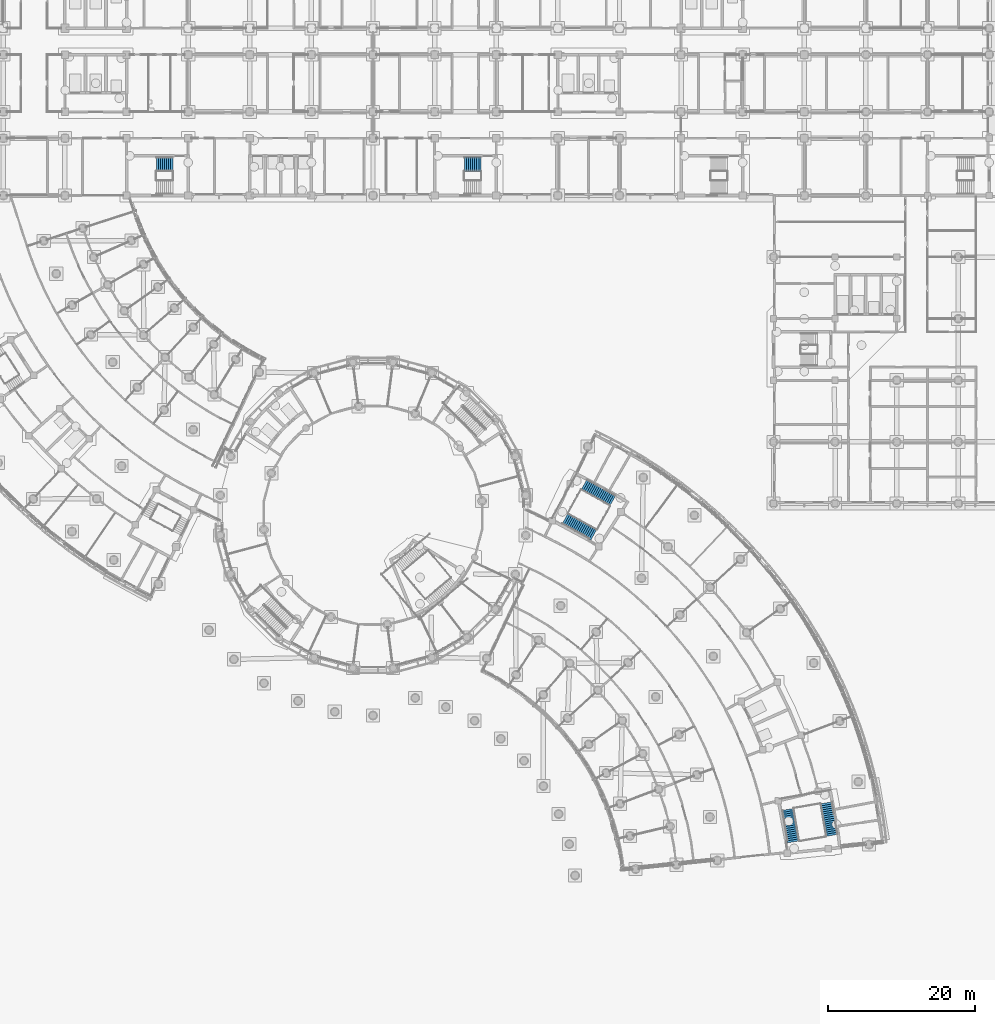
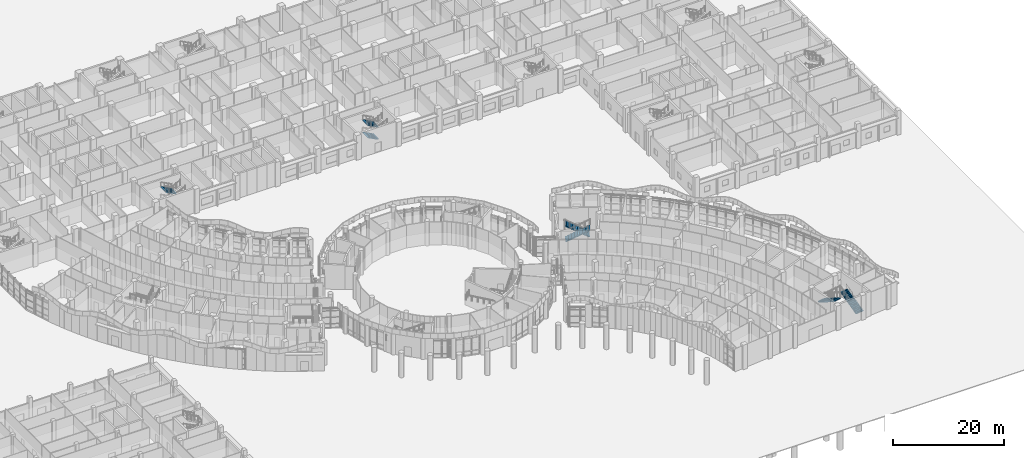
# One storey, part 98 of 146: 7 stair flights, 4 elements without a shape of their own.
"""IFC4 building model written with IfcOpenShell, lengths in metres."""

from ifc_helpers import new_model, si_unit, direction, frame, origin, place, context, subcontext, project, spatial, polyline, outline, extrude, material, type_object, element, aggregate, save


model = new_model("IFC4")

# Units and contexts
model_context = context("Model", 3, precision=1e-05, world=origin(), true_north=direction((0.0, 1.0)))
body_context = subcontext(model_context, "Body", "Model", "MODEL_VIEW")
ifc_project = project(units=[si_unit("LENGTHUNIT", "METRE"), si_unit("AREAUNIT", "SQUARE_METRE"), si_unit("VOLUMEUNIT", "CUBIC_METRE"), si_unit("PLANEANGLEUNIT", "RADIAN"), si_unit("MASSUNIT", "GRAM", prefix="KILO")], contexts=[model_context])

# Site, building, storey
site_placement = place(None, origin())
site = spatial("IfcSite", under=ifc_project, at=site_placement, CompositionType="ELEMENT")
building_placement = place(site_placement, origin())
building = spatial("IfcBuilding", under=site, at=building_placement, Name="Bougainvillea Quay General Hospital", CompositionType="ELEMENT")
storey_placement = place(building_placement, origin())
storey = spatial("IfcBuildingStorey", under=building, at=storey_placement, Name="L00", CompositionType="ELEMENT", Elevation=0.0)

# Stair, stair flights
ifc_material = material(Name="Concrete C35", Category="concrete")
stair_type_1 = type_object("IfcStairType", Name="Stair half-turn 1650 wide", PredefinedType="HALF_TURN_STAIR", material=ifc_material)
stair_1_placement = place(storey_placement, origin())
stair_1 = element("IfcStair", 1, at=stair_1_placement, inside=storey, type_object=stair_type_1, Name="L00 stair ST-E1", PredefinedType="HALF_TURN_STAIR")
stair_flight_type_1 = type_object("IfcStairFlightType", Name="Stair flight 1650", PredefinedType="STRAIGHT", material=ifc_material)
stair_flight_1_placement = place(storey_placement, frame((141.89208984375, 75.99267578125, 0.0), z_axis=(0.0, 0.0, 1.0), x_axis=(-0.873300754664, 0.487181477382, 0.0)))
stair_flight_1 = element("IfcStairFlight", 2, at=stair_flight_1_placement, type_object=stair_flight_type_1, Name="ST-E1 flight 1", NumberOfRisers=17, NumberOfTreads=16, PredefinedType="STRAIGHT", RiserHeight=0.158823529, TreadLength=0.28, context=body_context, shape_type="SweptSolid", body=[
    extrude(outline(polyline([(-0.0029296875, 0.0), (-0.0029296875, 0.00390625), (-0.0029296875, 0.0078125), (-0.0029296875, 0.01171875), (-0.0029296875, 0.015380859375), (-0.0029296875, 0.019287109375), (-0.0029296875, 0.023193359375), (-0.0029296875, 0.027099609375), (-0.0029296875, 0.031005859375), (-0.0029296875, 0.034912109375), (-0.0029296875, 0.038818359375), (-0.0029296875, 0.042724609375), (-0.0029296875, 0.04638671875), (-0.0029296875, 0.05029296875), (-0.0029296875, 0.05419921875), (-0.0029296875, 0.05810546875), (-0.0029296875, 0.06201171875), (-0.0029296875, 0.06591796875), (-0.0029296875, 0.06982421875), (-0.0029296875, 0.073486328125), (-0.0029296875, 0.077392578125), (-0.0029296875, 0.081298828125), (-0.0029296875, 0.085205078125), (-0.0029296875, 0.089111328125), (-0.0029296875, 0.093017578125), (-0.0029296875, 0.096923828125), (-0.0029296875, 0.100830078125), (-0.0029296875, 0.1044921875), (-0.0029296875, 0.1083984375), (-0.0029296875, 0.1123046875), (-0.0029296875, 0.1162109375), (-0.0029296875, 0.1201171875), (-0.0029296875, 0.1240234375), (-0.0029296875, 0.1279296875), (-0.0029296875, 0.131591796875), (-0.0029296875, 0.135498046875), (-0.0029296875, 0.139404296875), (-0.0029296875, 0.143310546875), (-0.0029296875, 0.147216796875), (-0.0029296875, 0.151123046875), (-0.0029296875, 0.155029296875), (-0.0029296875, 0.158935546875), (0.280029296875, 0.158935546875), (0.280029296875, 0.317626953125), (0.56005859375, 0.317626953125), (0.56005859375, 0.4765625), (0.840087890625, 0.4765625), (0.840087890625, 0.63525390625), (1.1201171875, 0.63525390625), (1.1201171875, 0.794189453125), (1.39990234375, 0.794189453125), (1.39990234375, 0.952880859375), (1.679931640625, 0.952880859375), (1.679931640625, 1.11181640625), (1.9599609375, 1.11181640625), (1.9599609375, 1.2705078125), (2.239990234375, 1.2705078125), (2.239990234375, 1.429443359375), (2.52001953125, 1.429443359375), (2.52001953125, 1.588134765625), (2.800048828125, 1.588134765625), (2.800048828125, 1.7470703125), (3.080078125, 1.7470703125), (3.080078125, 1.90576171875), (3.360107421875, 1.90576171875), (3.360107421875, 2.064697265625), (3.639892578125, 2.064697265625), (3.639892578125, 2.2236328125), (3.919921875, 2.2236328125), (3.919921875, 2.38232421875), (4.199951171875, 2.38232421875), (4.199951171875, 2.541259765625), (4.48291015625, 2.541259765625), (4.48291015625, 2.536865234375), (4.48291015625, 2.53271484375), (4.48291015625, 2.528564453125), (4.48291015625, 2.5244140625), (4.48291015625, 2.520263671875), (4.48291015625, 2.515869140625), (4.48291015625, 2.51171875), (4.48291015625, 2.507568359375), (4.48291015625, 2.50341796875), (4.48291015625, 2.4990234375), (4.48291015625, 2.494873046875), (4.48291015625, 2.49072265625), (4.48291015625, 2.486572265625), (4.48291015625, 2.482421875), (4.48291015625, 2.47802734375), (4.48291015625, 2.473876953125), (4.48291015625, 2.4697265625), (4.48291015625, 2.465576171875), (4.48291015625, 2.46142578125), (4.48291015625, 2.45703125), (4.48291015625, 2.452880859375), (4.48291015625, 2.44873046875), (4.48291015625, 2.444580078125), (4.48291015625, 2.440185546875), (4.48291015625, 2.43603515625), (4.48291015625, 2.431884765625), (4.48291015625, 2.427734375), (4.48291015625, 2.423583984375), (4.48291015625, 2.419189453125), (4.48291015625, 2.4150390625), (4.48291015625, 2.410888671875), (4.48291015625, 2.40673828125), (4.48291015625, 2.40234375), (4.48291015625, 2.398193359375), (4.48291015625, 2.39404296875), (4.48291015625, 2.389892578125), (4.48291015625, 2.3857421875), (4.48291015625, 2.38134765625), (4.48291015625, 2.377197265625), (4.48291015625, 2.373046875), (4.48291015625, 2.368896484375), (0.3037109375, 0.0), (-0.0029296875, 0.0)])), frame((0.0, 0.824951171875, 0.0), z_axis=(0.0, -1.0, 0.0), x_axis=(1.0, 0.0, 0.0)), (0.0, 0.0, 1.0), 1.64990234375),
])
stair_flight_2_placement = place(storey_placement, frame((135.39404296875, 73.540283203125, 2.699951171875), z_axis=(0.0, 0.0, 1.0), x_axis=(0.873300754664, -0.487181477382, 0.0)))
stair_flight_2 = element("IfcStairFlight", 3, at=stair_flight_2_placement, type_object=stair_flight_type_1, Name="ST-E1 flight 2", NumberOfRisers=17, NumberOfTreads=16, PredefinedType="STRAIGHT", RiserHeight=0.158823529, TreadLength=0.28, context=body_context, shape_type="SweptSolid", body=[
    extrude(outline(polyline([(-0.0029296875, 0.0), (-0.0029296875, 0.00390625), (-0.0029296875, 0.0078125), (-0.0029296875, 0.01171875), (-0.0029296875, 0.015380859375), (-0.0029296875, 0.019287109375), (-0.0029296875, 0.023193359375), (-0.0029296875, 0.027099609375), (-0.0029296875, 0.031005859375), (-0.0029296875, 0.034912109375), (-0.0029296875, 0.038818359375), (-0.0029296875, 0.042724609375), (-0.0029296875, 0.04638671875), (-0.0029296875, 0.05029296875), (-0.0029296875, 0.05419921875), (-0.0029296875, 0.05810546875), (-0.0029296875, 0.06201171875), (-0.0029296875, 0.06591796875), (-0.0029296875, 0.06982421875), (-0.0029296875, 0.073486328125), (-0.0029296875, 0.077392578125), (-0.0029296875, 0.081298828125), (-0.0029296875, 0.085205078125), (-0.0029296875, 0.089111328125), (-0.0029296875, 0.093017578125), (-0.0029296875, 0.096923828125), (-0.0029296875, 0.100830078125), (-0.0029296875, 0.1044921875), (-0.0029296875, 0.1083984375), (-0.0029296875, 0.1123046875), (-0.0029296875, 0.1162109375), (-0.0029296875, 0.1201171875), (-0.0029296875, 0.1240234375), (-0.0029296875, 0.1279296875), (-0.0029296875, 0.131591796875), (-0.0029296875, 0.135498046875), (-0.0029296875, 0.139404296875), (-0.0029296875, 0.143310546875), (-0.0029296875, 0.147216796875), (-0.0029296875, 0.151123046875), (-0.0029296875, 0.155029296875), (-0.0029296875, 0.158935546875), (0.280029296875, 0.158935546875), (0.280029296875, 0.317626953125), (0.56005859375, 0.317626953125), (0.56005859375, 0.4765625), (0.840087890625, 0.4765625), (0.840087890625, 0.63525390625), (1.1201171875, 0.63525390625), (1.1201171875, 0.794189453125), (1.39990234375, 0.794189453125), (1.39990234375, 0.952880859375), (1.679931640625, 0.952880859375), (1.679931640625, 1.11181640625), (1.9599609375, 1.11181640625), (1.9599609375, 1.2705078125), (2.239990234375, 1.2705078125), (2.239990234375, 1.429443359375), (2.52001953125, 1.429443359375), (2.52001953125, 1.588134765625), (2.800048828125, 1.588134765625), (2.800048828125, 1.7470703125), (3.080078125, 1.7470703125), (3.080078125, 1.90576171875), (3.360107421875, 1.90576171875), (3.360107421875, 2.064697265625), (3.639892578125, 2.064697265625), (3.639892578125, 2.2236328125), (3.919921875, 2.2236328125), (3.919921875, 2.38232421875), (4.199951171875, 2.38232421875), (4.199951171875, 2.541259765625), (4.48291015625, 2.541259765625), (4.48291015625, 2.536865234375), (4.48291015625, 2.53271484375), (4.48291015625, 2.528564453125), (4.48291015625, 2.5244140625), (4.48291015625, 2.520263671875), (4.48291015625, 2.515869140625), (4.48291015625, 2.51171875), (4.48291015625, 2.507568359375), (4.48291015625, 2.50341796875), (4.48291015625, 2.4990234375), (4.48291015625, 2.494873046875), (4.48291015625, 2.49072265625), (4.48291015625, 2.486572265625), (4.48291015625, 2.482421875), (4.48291015625, 2.47802734375), (4.48291015625, 2.473876953125), (4.48291015625, 2.4697265625), (4.48291015625, 2.465576171875), (4.48291015625, 2.46142578125), (4.48291015625, 2.45703125), (4.48291015625, 2.452880859375), (4.48291015625, 2.44873046875), (4.48291015625, 2.444580078125), (4.48291015625, 2.440185546875), (4.48291015625, 2.43603515625), (4.48291015625, 2.431884765625), (4.48291015625, 2.427734375), (4.48291015625, 2.423583984375), (4.48291015625, 2.419189453125), (4.48291015625, 2.4150390625), (4.48291015625, 2.410888671875), (4.48291015625, 2.40673828125), (4.48291015625, 2.40234375), (4.48291015625, 2.398193359375), (4.48291015625, 2.39404296875), (4.48291015625, 2.389892578125), (4.48291015625, 2.3857421875), (4.48291015625, 2.38134765625), (4.48291015625, 2.377197265625), (4.48291015625, 2.373046875), (4.48291015625, 2.368896484375), (0.3037109375, 0.0), (-0.0029296875, 0.0)])), frame((0.0, 0.824951171875, 0.0), z_axis=(0.0, -1.0, 0.0), x_axis=(1.0, 0.0, 0.0)), (0.0, 0.0, 1.0), 1.64990234375),
])
aggregate(stair_1, [stair_flight_1, stair_flight_2])

stair_2_placement = place(storey_placement, origin())
stair_2 = element("IfcStair", 4, at=stair_2_placement, inside=storey, type_object=stair_type_1, Name="L00 stair ST-E2", PredefinedType="HALF_TURN_STAIR")
stair_flight_3_placement = place(storey_placement, frame((171.761474609375, 30.370849609375, 0.0), z_axis=(0.0, 0.0, 1.0), x_axis=(-0.167737267749, 0.985831734632, 0.0)))
stair_flight_3 = element("IfcStairFlight", 5, at=stair_flight_3_placement, type_object=stair_flight_type_1, Name="ST-E2 flight 1", NumberOfRisers=17, NumberOfTreads=16, PredefinedType="STRAIGHT", RiserHeight=0.158823529, TreadLength=0.28, context=body_context, shape_type="SweptSolid", body=[
    extrude(outline(polyline([(-0.0029296875, 0.0), (-0.0029296875, 0.00390625), (-0.0029296875, 0.0078125), (-0.0029296875, 0.01171875), (-0.0029296875, 0.015380859375), (-0.0029296875, 0.019287109375), (-0.0029296875, 0.023193359375), (-0.0029296875, 0.027099609375), (-0.0029296875, 0.031005859375), (-0.0029296875, 0.034912109375), (-0.0029296875, 0.038818359375), (-0.0029296875, 0.042724609375), (-0.0029296875, 0.04638671875), (-0.0029296875, 0.05029296875), (-0.0029296875, 0.05419921875), (-0.0029296875, 0.05810546875), (-0.0029296875, 0.06201171875), (-0.0029296875, 0.06591796875), (-0.0029296875, 0.06982421875), (-0.0029296875, 0.073486328125), (-0.0029296875, 0.077392578125), (-0.0029296875, 0.081298828125), (-0.0029296875, 0.085205078125), (-0.0029296875, 0.089111328125), (-0.0029296875, 0.093017578125), (-0.0029296875, 0.096923828125), (-0.0029296875, 0.100830078125), (-0.0029296875, 0.1044921875), (-0.0029296875, 0.1083984375), (-0.0029296875, 0.1123046875), (-0.0029296875, 0.1162109375), (-0.0029296875, 0.1201171875), (-0.0029296875, 0.1240234375), (-0.0029296875, 0.1279296875), (-0.0029296875, 0.131591796875), (-0.0029296875, 0.135498046875), (-0.0029296875, 0.139404296875), (-0.0029296875, 0.143310546875), (-0.0029296875, 0.147216796875), (-0.0029296875, 0.151123046875), (-0.0029296875, 0.155029296875), (-0.0029296875, 0.158935546875), (0.280029296875, 0.158935546875), (0.280029296875, 0.317626953125), (0.56005859375, 0.317626953125), (0.56005859375, 0.4765625), (0.840087890625, 0.4765625), (0.840087890625, 0.63525390625), (1.1201171875, 0.63525390625), (1.1201171875, 0.794189453125), (1.39990234375, 0.794189453125), (1.39990234375, 0.952880859375), (1.679931640625, 0.952880859375), (1.679931640625, 1.11181640625), (1.9599609375, 1.11181640625), (1.9599609375, 1.2705078125), (2.239990234375, 1.2705078125), (2.239990234375, 1.429443359375), (2.52001953125, 1.429443359375), (2.52001953125, 1.588134765625), (2.800048828125, 1.588134765625), (2.800048828125, 1.7470703125), (3.080078125, 1.7470703125), (3.080078125, 1.90576171875), (3.360107421875, 1.90576171875), (3.360107421875, 2.064697265625), (3.639892578125, 2.064697265625), (3.639892578125, 2.2236328125), (3.919921875, 2.2236328125), (3.919921875, 2.38232421875), (4.199951171875, 2.38232421875), (4.199951171875, 2.541259765625), (4.48291015625, 2.541259765625), (4.48291015625, 2.536865234375), (4.48291015625, 2.53271484375), (4.48291015625, 2.528564453125), (4.48291015625, 2.5244140625), (4.48291015625, 2.520263671875), (4.48291015625, 2.515869140625), (4.48291015625, 2.51171875), (4.48291015625, 2.507568359375), (4.48291015625, 2.50341796875), (4.48291015625, 2.4990234375), (4.48291015625, 2.494873046875), (4.48291015625, 2.49072265625), (4.48291015625, 2.486572265625), (4.48291015625, 2.482421875), (4.48291015625, 2.47802734375), (4.48291015625, 2.473876953125), (4.48291015625, 2.4697265625), (4.48291015625, 2.465576171875), (4.48291015625, 2.46142578125), (4.48291015625, 2.45703125), (4.48291015625, 2.452880859375), (4.48291015625, 2.44873046875), (4.48291015625, 2.444580078125), (4.48291015625, 2.440185546875), (4.48291015625, 2.43603515625), (4.48291015625, 2.431884765625), (4.48291015625, 2.427734375), (4.48291015625, 2.423583984375), (4.48291015625, 2.419189453125), (4.48291015625, 2.4150390625), (4.48291015625, 2.410888671875), (4.48291015625, 2.40673828125), (4.48291015625, 2.40234375), (4.48291015625, 2.398193359375), (4.48291015625, 2.39404296875), (4.48291015625, 2.389892578125), (4.48291015625, 2.3857421875), (4.48291015625, 2.38134765625), (4.48291015625, 2.377197265625), (4.48291015625, 2.373046875), (4.48291015625, 2.368896484375), (0.3037109375, 0.0), (-0.0029296875, 0.0)])), frame((0.0, 0.824951171875, 0.0), z_axis=(0.0, -1.0, 0.0), x_axis=(1.0, 0.0, 0.0)), (0.0, 0.0, 1.0), 1.64990234375),
])
stair_flight_4_placement = place(storey_placement, frame((165.777099609375, 33.897216796875, 2.699951171875), z_axis=(0.0, 0.0, 1.0), x_axis=(0.167737267749, -0.985831734632, 0.0)))
stair_flight_4 = element("IfcStairFlight", 6, at=stair_flight_4_placement, type_object=stair_flight_type_1, Name="ST-E2 flight 2", NumberOfRisers=17, NumberOfTreads=16, PredefinedType="STRAIGHT", RiserHeight=0.158823529, TreadLength=0.28, context=body_context, shape_type="SweptSolid", body=[
    extrude(outline(polyline([(-0.0029296875, 0.0), (-0.0029296875, 0.00390625), (-0.0029296875, 0.0078125), (-0.0029296875, 0.01171875), (-0.0029296875, 0.015380859375), (-0.0029296875, 0.019287109375), (-0.0029296875, 0.023193359375), (-0.0029296875, 0.027099609375), (-0.0029296875, 0.031005859375), (-0.0029296875, 0.034912109375), (-0.0029296875, 0.038818359375), (-0.0029296875, 0.042724609375), (-0.0029296875, 0.04638671875), (-0.0029296875, 0.05029296875), (-0.0029296875, 0.05419921875), (-0.0029296875, 0.05810546875), (-0.0029296875, 0.06201171875), (-0.0029296875, 0.06591796875), (-0.0029296875, 0.06982421875), (-0.0029296875, 0.073486328125), (-0.0029296875, 0.077392578125), (-0.0029296875, 0.081298828125), (-0.0029296875, 0.085205078125), (-0.0029296875, 0.089111328125), (-0.0029296875, 0.093017578125), (-0.0029296875, 0.096923828125), (-0.0029296875, 0.100830078125), (-0.0029296875, 0.1044921875), (-0.0029296875, 0.1083984375), (-0.0029296875, 0.1123046875), (-0.0029296875, 0.1162109375), (-0.0029296875, 0.1201171875), (-0.0029296875, 0.1240234375), (-0.0029296875, 0.1279296875), (-0.0029296875, 0.131591796875), (-0.0029296875, 0.135498046875), (-0.0029296875, 0.139404296875), (-0.0029296875, 0.143310546875), (-0.0029296875, 0.147216796875), (-0.0029296875, 0.151123046875), (-0.0029296875, 0.155029296875), (-0.0029296875, 0.158935546875), (0.280029296875, 0.158935546875), (0.280029296875, 0.317626953125), (0.56005859375, 0.317626953125), (0.56005859375, 0.4765625), (0.840087890625, 0.4765625), (0.840087890625, 0.63525390625), (1.1201171875, 0.63525390625), (1.1201171875, 0.794189453125), (1.39990234375, 0.794189453125), (1.39990234375, 0.952880859375), (1.679931640625, 0.952880859375), (1.679931640625, 1.11181640625), (1.9599609375, 1.11181640625), (1.9599609375, 1.2705078125), (2.239990234375, 1.2705078125), (2.239990234375, 1.429443359375), (2.52001953125, 1.429443359375), (2.52001953125, 1.588134765625), (2.800048828125, 1.588134765625), (2.800048828125, 1.7470703125), (3.080078125, 1.7470703125), (3.080078125, 1.90576171875), (3.360107421875, 1.90576171875), (3.360107421875, 2.064697265625), (3.639892578125, 2.064697265625), (3.639892578125, 2.2236328125), (3.919921875, 2.2236328125), (3.919921875, 2.38232421875), (4.199951171875, 2.38232421875), (4.199951171875, 2.541259765625), (4.48291015625, 2.541259765625), (4.48291015625, 2.536865234375), (4.48291015625, 2.53271484375), (4.48291015625, 2.528564453125), (4.48291015625, 2.5244140625), (4.48291015625, 2.520263671875), (4.48291015625, 2.515869140625), (4.48291015625, 2.51171875), (4.48291015625, 2.507568359375), (4.48291015625, 2.50341796875), (4.48291015625, 2.4990234375), (4.48291015625, 2.494873046875), (4.48291015625, 2.49072265625), (4.48291015625, 2.486572265625), (4.48291015625, 2.482421875), (4.48291015625, 2.47802734375), (4.48291015625, 2.473876953125), (4.48291015625, 2.4697265625), (4.48291015625, 2.465576171875), (4.48291015625, 2.46142578125), (4.48291015625, 2.45703125), (4.48291015625, 2.452880859375), (4.48291015625, 2.44873046875), (4.48291015625, 2.444580078125), (4.48291015625, 2.440185546875), (4.48291015625, 2.43603515625), (4.48291015625, 2.431884765625), (4.48291015625, 2.427734375), (4.48291015625, 2.423583984375), (4.48291015625, 2.419189453125), (4.48291015625, 2.4150390625), (4.48291015625, 2.410888671875), (4.48291015625, 2.40673828125), (4.48291015625, 2.40234375), (4.48291015625, 2.398193359375), (4.48291015625, 2.39404296875), (4.48291015625, 2.389892578125), (4.48291015625, 2.3857421875), (4.48291015625, 2.38134765625), (4.48291015625, 2.377197265625), (4.48291015625, 2.373046875), (4.48291015625, 2.368896484375), (0.3037109375, 0.0), (-0.0029296875, 0.0)])), frame((0.0, 0.824951171875, 0.0), z_axis=(0.0, -1.0, 0.0), x_axis=(1.0, 0.0, 0.0)), (0.0, 0.0, 1.0), 1.64990234375),
])
aggregate(stair_2, [stair_flight_3, stair_flight_4])

# Stair, stair flight
stair_type_2 = type_object("IfcStairType", Name="Stair half-turn 1925 wide", PredefinedType="HALF_TURN_STAIR", material=ifc_material)
stair_3_placement = place(storey_placement, origin())
stair_3 = element("IfcStair", 7, at=stair_3_placement, inside=storey, type_object=stair_type_2, Name="L00 stair ST-B2", PredefinedType="HALF_TURN_STAIR")
stair_flight_type_2 = type_object("IfcStairFlightType", Name="Stair flight 1925", PredefinedType="STRAIGHT", material=ifc_material)
stair_flight_5_placement = place(storey_placement, frame((81.89990234375, 121.862548828125, 2.699951171875), z_axis=(0.0, 0.0, 1.0), x_axis=(-1.0, 0.0, 0.0)))
stair_flight_5 = element("IfcStairFlight", 8, at=stair_flight_5_placement, type_object=stair_flight_type_2, Name="ST-B2 flight 3", NumberOfRisers=9, NumberOfTreads=8, PredefinedType="STRAIGHT", RiserHeight=0.15, TreadLength=0.28, context=body_context, shape_type="SweptSolid", body=[
    extrude(outline(polyline([(-0.0029296875, 0.0), (-0.0029296875, 0.003662109375), (-0.0029296875, 0.00732421875), (-0.0029296875, 0.010986328125), (-0.0029296875, 0.0146484375), (-0.0029296875, 0.018310546875), (-0.0029296875, 0.02197265625), (-0.0029296875, 0.025634765625), (-0.0029296875, 0.029296875), (-0.0029296875, 0.032958984375), (-0.0029296875, 0.03662109375), (-0.0029296875, 0.040283203125), (-0.0029296875, 0.0439453125), (-0.0029296875, 0.047607421875), (-0.0029296875, 0.05126953125), (-0.0029296875, 0.054931640625), (-0.0029296875, 0.05859375), (-0.0029296875, 0.062255859375), (-0.0029296875, 0.06591796875), (-0.0029296875, 0.069580078125), (-0.0029296875, 0.0732421875), (-0.0029296875, 0.076904296875), (-0.0029296875, 0.08056640625), (-0.0029296875, 0.084228515625), (-0.0029296875, 0.087890625), (-0.0029296875, 0.091552734375), (-0.0029296875, 0.09521484375), (-0.0029296875, 0.098876953125), (-0.0029296875, 0.1025390625), (-0.0029296875, 0.106201171875), (-0.0029296875, 0.10986328125), (-0.0029296875, 0.113525390625), (-0.0029296875, 0.1171875), (-0.0029296875, 0.120849609375), (-0.0029296875, 0.12451171875), (-0.0029296875, 0.1279296875), (-0.0029296875, 0.131591796875), (-0.0029296875, 0.13525390625), (-0.0029296875, 0.138916015625), (-0.0029296875, 0.142578125), (-0.0029296875, 0.146240234375), (-0.0029296875, 0.14990234375), (0.280029296875, 0.14990234375), (0.280029296875, 0.300048828125), (0.56005859375, 0.300048828125), (0.56005859375, 0.449951171875), (0.840087890625, 0.449951171875), (0.840087890625, 0.60009765625), (1.1201171875, 0.60009765625), (1.1201171875, 0.75), (1.39990234375, 0.75), (1.39990234375, 0.89990234375), (1.679931640625, 0.89990234375), (1.679931640625, 1.050048828125), (1.9599609375, 1.050048828125), (1.9599609375, 1.199951171875), (2.242919921875, 1.199951171875), (2.242919921875, 1.19580078125), (2.242919921875, 1.191650390625), (2.242919921875, 1.1875), (2.242919921875, 1.183349609375), (2.242919921875, 1.17919921875), (2.242919921875, 1.175048828125), (2.242919921875, 1.1708984375), (2.242919921875, 1.166748046875), (2.242919921875, 1.16259765625), (2.242919921875, 1.158447265625), (2.242919921875, 1.154296875), (2.242919921875, 1.150146484375), (2.242919921875, 1.14599609375), (2.242919921875, 1.141845703125), (2.242919921875, 1.1376953125), (2.242919921875, 1.133544921875), (2.242919921875, 1.12939453125), (2.242919921875, 1.125244140625), (2.242919921875, 1.12109375), (2.242919921875, 1.116943359375), (2.242919921875, 1.11279296875), (2.242919921875, 1.108642578125), (2.242919921875, 1.1044921875), (2.242919921875, 1.100341796875), (2.242919921875, 1.09619140625), (2.242919921875, 1.092041015625), (2.242919921875, 1.087890625), (2.242919921875, 1.083984375), (2.242919921875, 1.079833984375), (2.242919921875, 1.07568359375), (2.242919921875, 1.071533203125), (2.242919921875, 1.0673828125), (2.242919921875, 1.063232421875), (2.242919921875, 1.05908203125), (2.242919921875, 1.054931640625), (2.242919921875, 1.05078125), (2.242919921875, 1.046630859375), (2.242919921875, 1.04248046875), (2.242919921875, 1.038330078125), (2.242919921875, 1.0341796875), (2.242919921875, 1.030029296875), (0.3173828125, 0.0), (-0.0029296875, 0.0)])), frame((0.0, 0.96240234375, 0.0), z_axis=(0.0, -1.0, 0.0), x_axis=(1.0, 0.0, 0.0)), (0.0, 0.0, 1.0), 1.925048828125),
])
aggregate(stair_3, [stair_flight_5])

# Stair, stair flights
stair_4_placement = place(storey_placement, origin())
stair_4 = element("IfcStair", 9, at=stair_4_placement, inside=storey, type_object=stair_type_2, Name="L00 stair ST-B3", PredefinedType="HALF_TURN_STAIR")
stair_flight_6_placement = place(storey_placement, frame((123.89990234375, 121.862548828125, 0.0), z_axis=(0.0, 0.0, 1.0), x_axis=(-1.0, 0.0, 0.0)))
stair_flight_6 = element("IfcStairFlight", 10, at=stair_flight_6_placement, type_object=stair_flight_type_2, Name="ST-B3 flight 1", NumberOfRisers=9, NumberOfTreads=8, PredefinedType="STRAIGHT", RiserHeight=0.15, TreadLength=0.28, context=body_context, shape_type="SweptSolid", body=[
    extrude(outline(polyline([(-0.0029296875, 0.0), (-0.0029296875, 0.003662109375), (-0.0029296875, 0.00732421875), (-0.0029296875, 0.010986328125), (-0.0029296875, 0.0146484375), (-0.0029296875, 0.018310546875), (-0.0029296875, 0.02197265625), (-0.0029296875, 0.025634765625), (-0.0029296875, 0.029296875), (-0.0029296875, 0.032958984375), (-0.0029296875, 0.03662109375), (-0.0029296875, 0.040283203125), (-0.0029296875, 0.0439453125), (-0.0029296875, 0.047607421875), (-0.0029296875, 0.05126953125), (-0.0029296875, 0.054931640625), (-0.0029296875, 0.05859375), (-0.0029296875, 0.062255859375), (-0.0029296875, 0.06591796875), (-0.0029296875, 0.069580078125), (-0.0029296875, 0.0732421875), (-0.0029296875, 0.076904296875), (-0.0029296875, 0.08056640625), (-0.0029296875, 0.084228515625), (-0.0029296875, 0.087890625), (-0.0029296875, 0.091552734375), (-0.0029296875, 0.09521484375), (-0.0029296875, 0.098876953125), (-0.0029296875, 0.1025390625), (-0.0029296875, 0.106201171875), (-0.0029296875, 0.10986328125), (-0.0029296875, 0.113525390625), (-0.0029296875, 0.1171875), (-0.0029296875, 0.120849609375), (-0.0029296875, 0.12451171875), (-0.0029296875, 0.1279296875), (-0.0029296875, 0.131591796875), (-0.0029296875, 0.13525390625), (-0.0029296875, 0.138916015625), (-0.0029296875, 0.142578125), (-0.0029296875, 0.146240234375), (-0.0029296875, 0.14990234375), (0.280029296875, 0.14990234375), (0.280029296875, 0.300048828125), (0.56005859375, 0.300048828125), (0.56005859375, 0.449951171875), (0.840087890625, 0.449951171875), (0.840087890625, 0.60009765625), (1.1201171875, 0.60009765625), (1.1201171875, 0.75), (1.39990234375, 0.75), (1.39990234375, 0.89990234375), (1.679931640625, 0.89990234375), (1.679931640625, 1.050048828125), (1.9599609375, 1.050048828125), (1.9599609375, 1.199951171875), (2.242919921875, 1.199951171875), (2.242919921875, 1.19580078125), (2.242919921875, 1.191650390625), (2.242919921875, 1.1875), (2.242919921875, 1.183349609375), (2.242919921875, 1.17919921875), (2.242919921875, 1.175048828125), (2.242919921875, 1.1708984375), (2.242919921875, 1.166748046875), (2.242919921875, 1.16259765625), (2.242919921875, 1.158447265625), (2.242919921875, 1.154296875), (2.242919921875, 1.150146484375), (2.242919921875, 1.14599609375), (2.242919921875, 1.141845703125), (2.242919921875, 1.1376953125), (2.242919921875, 1.133544921875), (2.242919921875, 1.12939453125), (2.242919921875, 1.125244140625), (2.242919921875, 1.12109375), (2.242919921875, 1.116943359375), (2.242919921875, 1.11279296875), (2.242919921875, 1.108642578125), (2.242919921875, 1.1044921875), (2.242919921875, 1.100341796875), (2.242919921875, 1.09619140625), (2.242919921875, 1.092041015625), (2.242919921875, 1.087890625), (2.242919921875, 1.083984375), (2.242919921875, 1.079833984375), (2.242919921875, 1.07568359375), (2.242919921875, 1.071533203125), (2.242919921875, 1.0673828125), (2.242919921875, 1.063232421875), (2.242919921875, 1.05908203125), (2.242919921875, 1.054931640625), (2.242919921875, 1.05078125), (2.242919921875, 1.046630859375), (2.242919921875, 1.04248046875), (2.242919921875, 1.038330078125), (2.242919921875, 1.0341796875), (2.242919921875, 1.030029296875), (0.3173828125, 0.0), (-0.0029296875, 0.0)])), frame((0.0, 0.96240234375, 0.0), z_axis=(0.0, -1.0, 0.0), x_axis=(1.0, 0.0, 0.0)), (0.0, 0.0, 1.0), 1.925048828125),
])
stair_flight_7_placement = place(storey_placement, frame((123.89990234375, 121.862548828125, 2.699951171875), z_axis=(0.0, 0.0, 1.0), x_axis=(-1.0, 0.0, 0.0)))
stair_flight_7 = element("IfcStairFlight", 11, at=stair_flight_7_placement, type_object=stair_flight_type_2, Name="ST-B3 flight 3", NumberOfRisers=9, NumberOfTreads=8, PredefinedType="STRAIGHT", RiserHeight=0.15, TreadLength=0.28, context=body_context, shape_type="SweptSolid", body=[
    extrude(outline(polyline([(-0.0029296875, 0.0), (-0.0029296875, 0.003662109375), (-0.0029296875, 0.00732421875), (-0.0029296875, 0.010986328125), (-0.0029296875, 0.0146484375), (-0.0029296875, 0.018310546875), (-0.0029296875, 0.02197265625), (-0.0029296875, 0.025634765625), (-0.0029296875, 0.029296875), (-0.0029296875, 0.032958984375), (-0.0029296875, 0.03662109375), (-0.0029296875, 0.040283203125), (-0.0029296875, 0.0439453125), (-0.0029296875, 0.047607421875), (-0.0029296875, 0.05126953125), (-0.0029296875, 0.054931640625), (-0.0029296875, 0.05859375), (-0.0029296875, 0.062255859375), (-0.0029296875, 0.06591796875), (-0.0029296875, 0.069580078125), (-0.0029296875, 0.0732421875), (-0.0029296875, 0.076904296875), (-0.0029296875, 0.08056640625), (-0.0029296875, 0.084228515625), (-0.0029296875, 0.087890625), (-0.0029296875, 0.091552734375), (-0.0029296875, 0.09521484375), (-0.0029296875, 0.098876953125), (-0.0029296875, 0.1025390625), (-0.0029296875, 0.106201171875), (-0.0029296875, 0.10986328125), (-0.0029296875, 0.113525390625), (-0.0029296875, 0.1171875), (-0.0029296875, 0.120849609375), (-0.0029296875, 0.12451171875), (-0.0029296875, 0.1279296875), (-0.0029296875, 0.131591796875), (-0.0029296875, 0.13525390625), (-0.0029296875, 0.138916015625), (-0.0029296875, 0.142578125), (-0.0029296875, 0.146240234375), (-0.0029296875, 0.14990234375), (0.280029296875, 0.14990234375), (0.280029296875, 0.300048828125), (0.56005859375, 0.300048828125), (0.56005859375, 0.449951171875), (0.840087890625, 0.449951171875), (0.840087890625, 0.60009765625), (1.1201171875, 0.60009765625), (1.1201171875, 0.75), (1.39990234375, 0.75), (1.39990234375, 0.89990234375), (1.679931640625, 0.89990234375), (1.679931640625, 1.050048828125), (1.9599609375, 1.050048828125), (1.9599609375, 1.199951171875), (2.242919921875, 1.199951171875), (2.242919921875, 1.19580078125), (2.242919921875, 1.191650390625), (2.242919921875, 1.1875), (2.242919921875, 1.183349609375), (2.242919921875, 1.17919921875), (2.242919921875, 1.175048828125), (2.242919921875, 1.1708984375), (2.242919921875, 1.166748046875), (2.242919921875, 1.16259765625), (2.242919921875, 1.158447265625), (2.242919921875, 1.154296875), (2.242919921875, 1.150146484375), (2.242919921875, 1.14599609375), (2.242919921875, 1.141845703125), (2.242919921875, 1.1376953125), (2.242919921875, 1.133544921875), (2.242919921875, 1.12939453125), (2.242919921875, 1.125244140625), (2.242919921875, 1.12109375), (2.242919921875, 1.116943359375), (2.242919921875, 1.11279296875), (2.242919921875, 1.108642578125), (2.242919921875, 1.1044921875), (2.242919921875, 1.100341796875), (2.242919921875, 1.09619140625), (2.242919921875, 1.092041015625), (2.242919921875, 1.087890625), (2.242919921875, 1.083984375), (2.242919921875, 1.079833984375), (2.242919921875, 1.07568359375), (2.242919921875, 1.071533203125), (2.242919921875, 1.0673828125), (2.242919921875, 1.063232421875), (2.242919921875, 1.05908203125), (2.242919921875, 1.054931640625), (2.242919921875, 1.05078125), (2.242919921875, 1.046630859375), (2.242919921875, 1.04248046875), (2.242919921875, 1.038330078125), (2.242919921875, 1.0341796875), (2.242919921875, 1.030029296875), (0.3173828125, 0.0), (-0.0029296875, 0.0)])), frame((0.0, 0.96240234375, 0.0), z_axis=(0.0, -1.0, 0.0), x_axis=(1.0, 0.0, 0.0)), (0.0, 0.0, 1.0), 1.925048828125),
])
aggregate(stair_4, [stair_flight_6, stair_flight_7])

save(model, "model.ifc")
